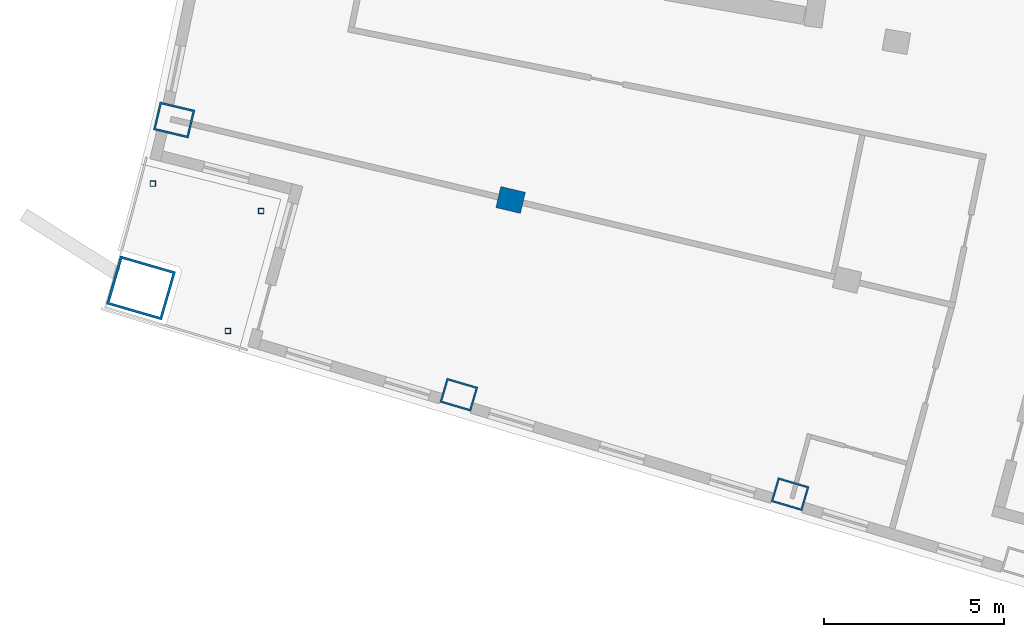
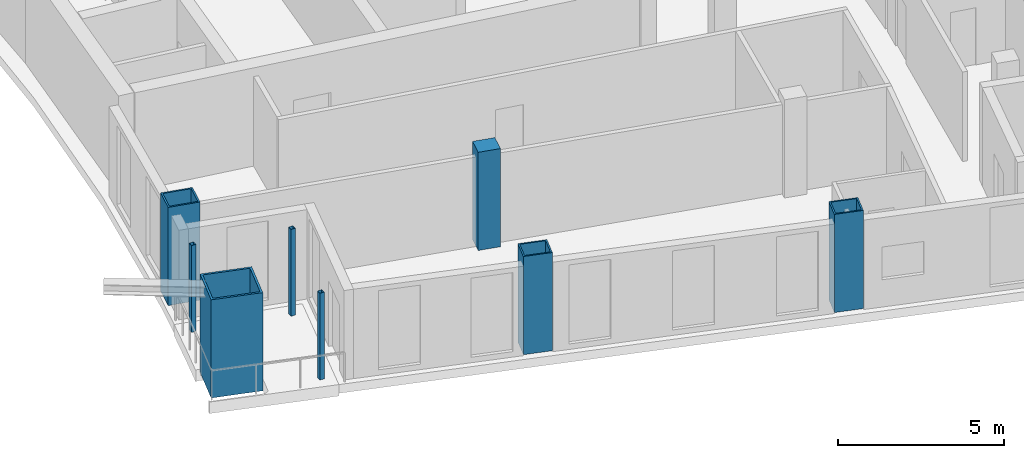
# One storey, part 1 of 16: 8 columns.
"""IFC4 building model written with IfcOpenShell, lengths in metres."""

from ifc_helpers import new_model, si_unit, direction, frame, origin, origin_2d, place, context, subcontext, project, spatial, rectangle, hollow_rectangle, extrude, material, material_profile, profile_set, type_object, element, save


model = new_model("IFC4")

# Units and contexts
model_context = context("Model", 3, precision=1e-05, world=origin(), true_north=direction((0.0, 1.0)))
body_context = subcontext(model_context, "Body", "Model", "MODEL_VIEW")
ifc_project = project(units=[si_unit("LENGTHUNIT", "METRE"), si_unit("AREAUNIT", "SQUARE_METRE"), si_unit("VOLUMEUNIT", "CUBIC_METRE"), si_unit("PLANEANGLEUNIT", "RADIAN"), si_unit("MASSUNIT", "GRAM", prefix="KILO")], contexts=[model_context])

# Site, building, storey
site_placement = place(None, origin())
site = spatial("IfcSite", under=ifc_project, at=site_placement, CompositionType="ELEMENT")
building_placement = place(site_placement, origin())
building = spatial("IfcBuilding", under=site, at=building_placement, Name="Alderwake Tower", CompositionType="ELEMENT")
storey_placement = place(building_placement, frame((0.0, 0.0, 281.60009765625)))
storey = spatial("IfcBuildingStorey", under=building, at=storey_placement, Name="L70", CompositionType="ELEMENT", Elevation=281.60009765625)

# Columns
ifc_material_1 = material(Name="Steel ASTM A572 Grade 50 concrete filled C70/85", Category="concrete")
ifc_material_profile_1 = material_profile(ifc_material_1, hollow_rectangle(XDim=0.699951171875, YDim=0.89990234375, WallThickness=0.050048828125, at=origin_2d()), Name="BOX 900X700X50")
ifc_profile_set_1 = profile_set([ifc_material_profile_1], Name="Steel ASTM A572 Grade 50 concrete filled C70/85")
column_type_1 = type_object("IfcColumnType", Name="End column Z5", PredefinedType="COLUMN", material=ifc_profile_set_1)
for number, where, z_axis, x_axis, name in (
    (1, (21.885498046875, 31.03759765625, 0.0), (0.0, 0.0, 1.0), (0.282132160283, 0.95937554906, 0.0), "Column R02-C1"),
    (2, (31.080322265625, 28.27685546875, 0.0), (0.0, 0.0, 1.0), (0.282582549822, 0.959242984095, 0.0), "Column R02-C2"),
):
    element("IfcColumn", number, at=place(storey_placement, frame(where, z_axis=z_axis, x_axis=x_axis)), inside=storey, type_object=column_type_1, Name=name, PredefinedType="COLUMN", context=body_context, shape_type="SweptSolid", body=[
        extrude(hollow_rectangle(XDim=0.699951171875, YDim=0.89990234375, WallThickness=0.050048828125, at=origin_2d()), origin(), (0.0, 0.0, 1.0), 3.599853515625),
    ])
ifc_material_2 = material(Name="Concrete C70/85", Category="concrete")
ifc_material_profile_2 = material_profile(ifc_material_2, rectangle(XDim=0.60009765625, YDim=0.699951171875, at=origin_2d()), Name="RC 700X600")
ifc_profile_set_2 = profile_set([ifc_material_profile_2], Name="Concrete C70/85")
column_type_2 = type_object("IfcColumnType", Name="Interior column Z5", PredefinedType="COLUMN", material=ifc_profile_set_2)
column_1_placement = place(storey_placement, frame((23.322021484375, 36.444091796875, 0.0), z_axis=(0.0, 0.0, 1.0), x_axis=(0.231221547198, 0.972901123502, 0.0)))
element("IfcColumn", 3, at=column_1_placement, inside=storey, type_object=column_type_2, Name="Column R03-C1", PredefinedType="COLUMN", context=body_context, shape_type="SweptSolid", body=[
    extrude(rectangle(XDim=0.60009765625, YDim=0.699951171875, at=origin_2d()), origin(), (0.0, 0.0, 1.0), 3.599853515625),
])
ifc_material_3 = material(Name="Steel ASTM A500 Grade C", Category="steel")
ifc_material_profile_3 = material_profile(ifc_material_3, hollow_rectangle(XDim=0.15234375, YDim=0.15234375, WallThickness=0.0087890625, at=origin_2d()), Name="HSS6X6X3/8")
ifc_profile_set_3 = profile_set([ifc_material_profile_3], Name="Steel ASTM A500 Grade C")
column_type_3 = type_object("IfcColumnType", Name="Light post HSS6X6X3/8", PredefinedType="COLUMN", material=ifc_profile_set_3)
for number, where, z_axis, x_axis, name in (
    (4, (13.3896484375, 36.896484375, 0.0), (0.0, 0.0, 1.0), (1.0, 0.0, 0.0), "Terrace post RS1"),
    (5, (15.47412109375, 32.805908203125, 0.0), (0.0, 0.0, 1.0), (1.0, 0.0, 0.0), "Terrace post RS2"),
    (6, (16.39501953125, 36.135986328125, 0.0), (0.0, 0.0, 1.0), (1.0, 0.0, 0.0), "Terrace post RS3"),
):
    element("IfcColumn", number, at=place(storey_placement, frame(where, z_axis=z_axis, x_axis=x_axis)), inside=storey, type_object=column_type_3, Name=name, PredefinedType="COLUMN", context=body_context, shape_type="SweptSolid", body=[
        extrude(hollow_rectangle(XDim=0.15234375, YDim=0.15234375, WallThickness=0.0087890625, at=origin_2d()), origin(), (0.0, 0.0, 1.0), 3.179931640625),
    ])
ifc_material_4 = material(Name="Steel ASTM A572 Grade 50 concrete filled C70/85", Category="concrete")
ifc_material_profile_4 = material_profile(ifc_material_4, hollow_rectangle(XDim=1.39990234375, YDim=1.60009765625, WallThickness=0.070068359375, at=origin_2d()), Name="BOX 1600X1400X70")
ifc_profile_set_4 = profile_set([ifc_material_profile_4], Name="Steel ASTM A572 Grade 50 concrete filled C70/85")
column_type_4 = type_object("IfcColumnType", Name="Mega column Z5", PredefinedType="COLUMN", material=ifc_profile_set_4)
column_2_placement = place(storey_placement, frame((13.06298828125, 34.00244140625, 0.0), z_axis=(0.0, 0.0, 1.0), x_axis=(0.278612301868, 0.960403657452, 0.0)))
element("IfcColumn", 7, at=column_2_placement, inside=storey, type_object=column_type_4, Name="Column R02-C0", PredefinedType="COLUMN", context=body_context, shape_type="SweptSolid", body=[
    extrude(hollow_rectangle(XDim=1.39990234375, YDim=1.60009765625, WallThickness=0.070068359375, at=origin_2d()), origin(), (0.0, 0.0, 1.0), 3.599853515625),
])
ifc_material_5 = material(Name="Steel ASTM A572 Grade 50 concrete filled C70/85", Category="concrete")
ifc_material_profile_5 = material_profile(ifc_material_5, hollow_rectangle(XDim=0.800048828125, YDim=1.0, WallThickness=0.054931640625, at=origin_2d()), Name="BOX 1000X800X55")
ifc_profile_set_5 = profile_set([ifc_material_profile_5], Name="Steel ASTM A572 Grade 50 concrete filled C70/85")
column_type_5 = type_object("IfcColumnType", Name="Perimeter column Z5", PredefinedType="COLUMN", material=ifc_profile_set_5)
column_3_placement = place(storey_placement, frame((13.982177734375, 38.6640625, 0.0), z_axis=(0.0, 0.0, 1.0), x_axis=(0.231221547198, 0.972901123502, 0.0)))
element("IfcColumn", 8, at=column_3_placement, inside=storey, type_object=column_type_5, Name="Column R03-C0", PredefinedType="COLUMN", context=body_context, shape_type="SweptSolid", body=[
    extrude(hollow_rectangle(XDim=0.800048828125, YDim=1.0, WallThickness=0.054931640625, at=origin_2d()), origin(), (0.0, 0.0, 1.0), 3.599853515625),
])

save(model, "model.ifc")
